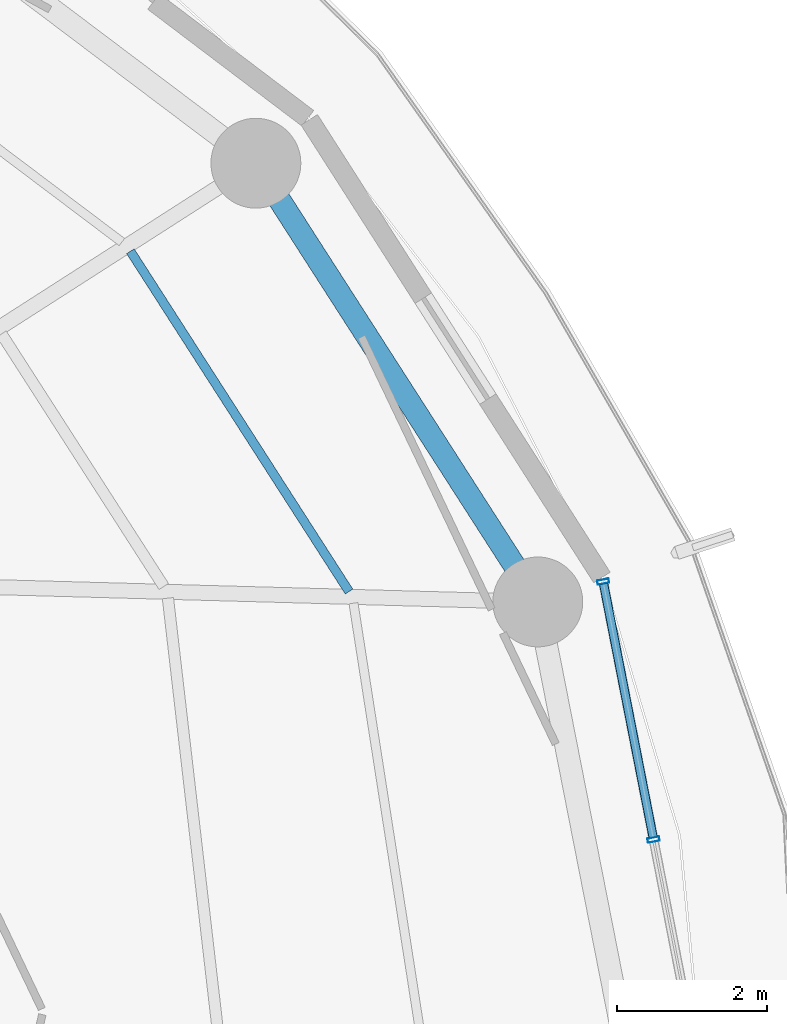
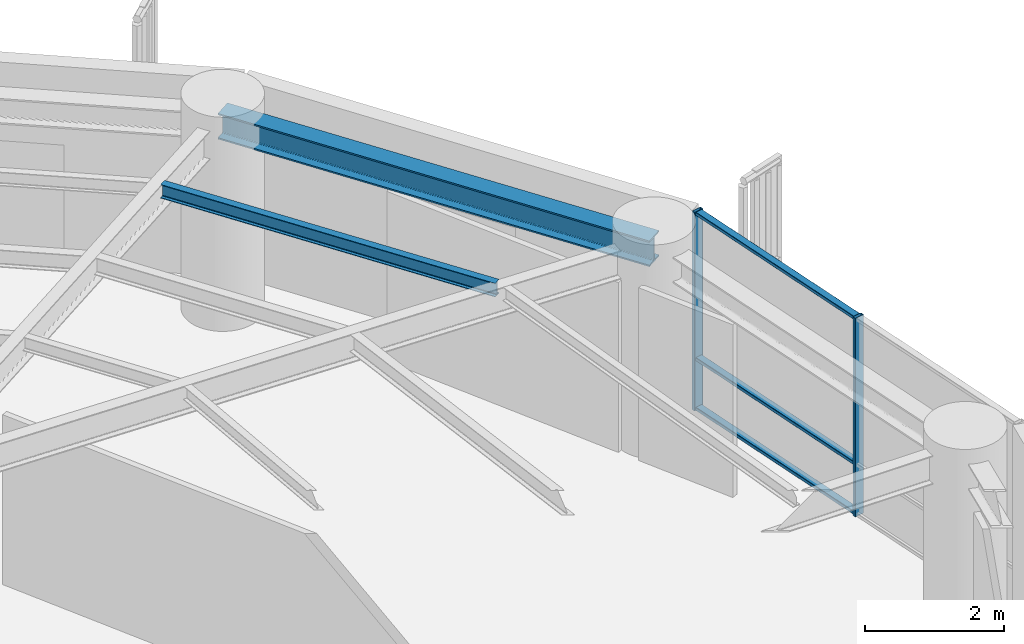
# One storey, part 15 of 28: 5 members, 2 beams, 1 element without a shape of its own.
"""IFC4 building model written with IfcOpenShell, lengths in metres."""

from ifc_helpers import new_model, si_unit, direction, frame, origin, origin_2d, place, context, subcontext, project, spatial, hollow_rectangle, i_section, extrude, material, layer, layer_set, material_profile, profile_set, type_object, element, aggregate, save


model = new_model("IFC4")

# Units and contexts
model_context = context("Model", 3, precision=1e-05, world=origin(), true_north=direction((0.0, 1.0)))
body_context = subcontext(model_context, "Body", "Model", "MODEL_VIEW")
ifc_project = project(units=[si_unit("LENGTHUNIT", "METRE"), si_unit("AREAUNIT", "SQUARE_METRE"), si_unit("VOLUMEUNIT", "CUBIC_METRE"), si_unit("PLANEANGLEUNIT", "RADIAN"), si_unit("MASSUNIT", "GRAM", prefix="KILO")], contexts=[model_context])

# Site, building, storey
site_placement = place(None, origin())
site = spatial("IfcSite", under=ifc_project, at=site_placement, CompositionType="ELEMENT")
building_placement = place(site_placement, origin())
building = spatial("IfcBuilding", under=site, at=building_placement, Name="Kelanora Arch Commons", CompositionType="ELEMENT")
storey_placement = place(building_placement, frame((0.0, 0.0, 139.35009765625)))
storey = spatial("IfcBuildingStorey", under=building, at=storey_placement, Name="L35", CompositionType="ELEMENT", Elevation=139.35009765625)

# Beams
ifc_material_1 = material(Name="Steel S355", Category="steel")
ifc_material_profile_1 = material_profile(ifc_material_1, i_section(OverallWidth=0.1201171875, OverallDepth=0.239990234375, WebThickness=0.006103515625, FlangeThickness=0.009765625, FilletRadius=0.014892578125, at=origin_2d()), Name="IPE240")
ifc_profile_set_1 = profile_set([ifc_material_profile_1], Name="Steel S355")
beam_type_1 = type_object("IfcBeamType", Name="BM-JST-02", PredefinedType="JOIST", material=ifc_profile_set_1)
beam_1_placement = place(storey_placement, frame((91.85205078125, 64.801513671875, 3.369873046875), z_axis=(-0.540581678156, 0.841291536414, 0.0), x_axis=(-0.841291536414, -0.540581678156, 0.0)))
element("IfcBeam", 1, at=beam_1_placement, inside=storey, type_object=beam_type_1, Name="Secondary Chord Joist BJC-02 L35", PredefinedType="JOIST", context=body_context, shape_type="SweptSolid", body=[
    extrude(i_section(OverallWidth=0.1201171875, OverallDepth=0.239990234375, WebThickness=0.006103515625, FlangeThickness=0.009765625, FilletRadius=0.014892578125, at=origin_2d()), origin(), (0.0, 0.0, 1.0), 5.4013671875),
])
ifc_material_profile_2 = material_profile(ifc_material_1, i_section(OverallWidth=0.300048828125, OverallDepth=0.449951171875, WebThickness=0.013916015625, FlangeThickness=0.02587890625, FilletRadius=0.027099609375, at=origin_2d()), Name="HEB450")
ifc_profile_set_2 = profile_set([ifc_material_profile_2], Name="Steel S355")
beam_type_2 = type_object("IfcBeamType", Name="BM-SPN-Z3", PredefinedType="SPANDREL", material=ifc_profile_set_2)
beam_2_placement = place(storey_placement, frame((94.37255859375, 64.66259765625, 3.264892578125), z_axis=(-0.540576852469, 0.841294637196, 0.0), x_axis=(-0.841294637196, -0.540576852469, 0.0)))
element("IfcBeam", 2, at=beam_2_placement, inside=storey, type_object=beam_type_2, Name="Perimeter Spandrel Beam BS-02 L35", PredefinedType="SPANDREL", context=body_context, shape_type="SweptSolid", body=[
    extrude(i_section(OverallWidth=0.300048828125, OverallDepth=0.449951171875, WebThickness=0.013916015625, FlangeThickness=0.02587890625, FilletRadius=0.027099609375, at=origin_2d()), origin(), (0.0, 0.0, 1.0), 6.964111328125),
])

# Curtain wall, members
ifc_material_2 = material(Name="Terracotta ceramic-fritted low-E glass and aluminium", Category="masonry")
ifc_layer = layer(ifc_material_2, 0.175048828125)
ifc_layer_set = layer_set([ifc_layer], Name="Terracotta ceramic-fritted low-E glass and aluminium")
curtain_wall_type = type_object("IfcCurtainWallType", Name="CW-SYS-02", PredefinedType="NOTDEFINED", material=ifc_layer_set)
curtain_wall_placement = place(storey_placement, origin())
curtain_wall = element("IfcCurtainWall", 3, at=curtain_wall_placement, inside=storey, type_object=curtain_wall_type, Name="Unitised Curtain Wall L35-B00", PredefinedType="NOTDEFINED")
ifc_material_3 = material(Name="Powder-coated aluminium terracotta", Category="masonry")
ifc_material_profile_3 = material_profile(ifc_material_3, hollow_rectangle(XDim=0.159912109375, YDim=0.06005859375, WallThickness=0.0048828125, InnerFilletRadius=0.0048828125, OuterFilletRadius=0.010009765625, at=origin_2d()), Name="CWM160x60")
ifc_profile_set_3 = profile_set([ifc_material_profile_3], Name="Powder-coated aluminium terracotta")
member_type_1 = type_object("IfcMemberType", Name="CWM-STD", PredefinedType="MULLION", material=ifc_profile_set_3)
member_1_placement = place(storey_placement, frame((95.91845703125, 61.488525390625, 0.0), z_axis=(0.0, 0.0, 1.0), x_axis=(-0.981452557718, -0.191705182375, 0.0)))
member_1 = element("IfcMember", 4, at=member_1_placement, type_object=member_type_1, Name="CW-02 mullion 2", PredefinedType="MULLION", context=body_context, shape_type="SweptSolid", body=[
    extrude(hollow_rectangle(XDim=0.159912109375, YDim=0.06005859375, WallThickness=0.0048828125, InnerFilletRadius=0.0048828125, OuterFilletRadius=0.010009765625, at=origin_2d()), origin(), (0.0, 0.0, 1.0), 3.474853515625),
])
member_2_placement = place(storey_placement, frame((95.245849609375, 64.93310546875, 0.0), z_axis=(0.0, 0.0, 1.0), x_axis=(-0.981452557718, -0.191705182375, 0.0)))
member_2 = element("IfcMember", 5, at=member_2_placement, type_object=member_type_1, Name="CW-02 mullion 3", PredefinedType="MULLION", context=body_context, shape_type="SweptSolid", body=[
    extrude(hollow_rectangle(XDim=0.159912109375, YDim=0.06005859375, WallThickness=0.0048828125, InnerFilletRadius=0.0048828125, OuterFilletRadius=0.010009765625, at=origin_2d()), origin(), (0.0, 0.0, 1.0), 3.474853515625),
])
ifc_material_profile_4 = material_profile(ifc_material_3, hollow_rectangle(XDim=0.1201171875, YDim=0.06005859375, WallThickness=0.0048828125, InnerFilletRadius=0.0048828125, OuterFilletRadius=0.010009765625, at=origin_2d()), Name="CWT120x60")
ifc_profile_set_4 = profile_set([ifc_material_profile_4], Name="Powder-coated aluminium terracotta")
member_type_2 = type_object("IfcMemberType", Name="CWT-STD", PredefinedType="USERDEFINED", material=ifc_profile_set_4)
member_3_placement = place(storey_placement, frame((95.912841796875, 61.51806640625, 0.02978515625), z_axis=(-0.191731523726, 0.981447412147, 0.0), x_axis=(-0.981447412147, -0.191731523726, 0.0)))
member_3 = element("IfcMember", 6, at=member_3_placement, type_object=member_type_2, Name="CW-02 transom 2.1", ObjectType="TRANSOM", PredefinedType="USERDEFINED", context=body_context, shape_type="SweptSolid", body=[
    extrude(hollow_rectangle(XDim=0.1201171875, YDim=0.06005859375, WallThickness=0.0048828125, InnerFilletRadius=0.0048828125, OuterFilletRadius=0.010009765625, at=origin_2d()), origin(), (0.0, 0.0, 1.0), 3.449462890625),
])
member_4_placement = place(storey_placement, frame((95.912841796875, 61.51806640625, 0.89990234375), z_axis=(-0.191731523726, 0.981447412147, 0.0), x_axis=(-0.981447412147, -0.191731523726, 0.0)))
member_4 = element("IfcMember", 7, at=member_4_placement, type_object=member_type_2, Name="CW-02 transom 2.2", ObjectType="TRANSOM", PredefinedType="USERDEFINED", context=body_context, shape_type="SweptSolid", body=[
    extrude(hollow_rectangle(XDim=0.1201171875, YDim=0.06005859375, WallThickness=0.0048828125, InnerFilletRadius=0.0048828125, OuterFilletRadius=0.010009765625, at=origin_2d()), origin(), (0.0, 0.0, 1.0), 3.449462890625),
])
member_5_placement = place(storey_placement, frame((95.912841796875, 61.51806640625, 3.44482421875), z_axis=(-0.191731523726, 0.981447412147, 0.0), x_axis=(-0.981447412147, -0.191731523726, 0.0)))
member_5 = element("IfcMember", 8, at=member_5_placement, type_object=member_type_2, Name="CW-02 transom 2.3", ObjectType="TRANSOM", PredefinedType="USERDEFINED", context=body_context, shape_type="SweptSolid", body=[
    extrude(hollow_rectangle(XDim=0.1201171875, YDim=0.06005859375, WallThickness=0.0048828125, InnerFilletRadius=0.0048828125, OuterFilletRadius=0.010009765625, at=origin_2d()), origin(), (0.0, 0.0, 1.0), 3.449462890625),
])
aggregate(curtain_wall, [member_1, member_2, member_3, member_4, member_5])

save(model, "model.ifc")
